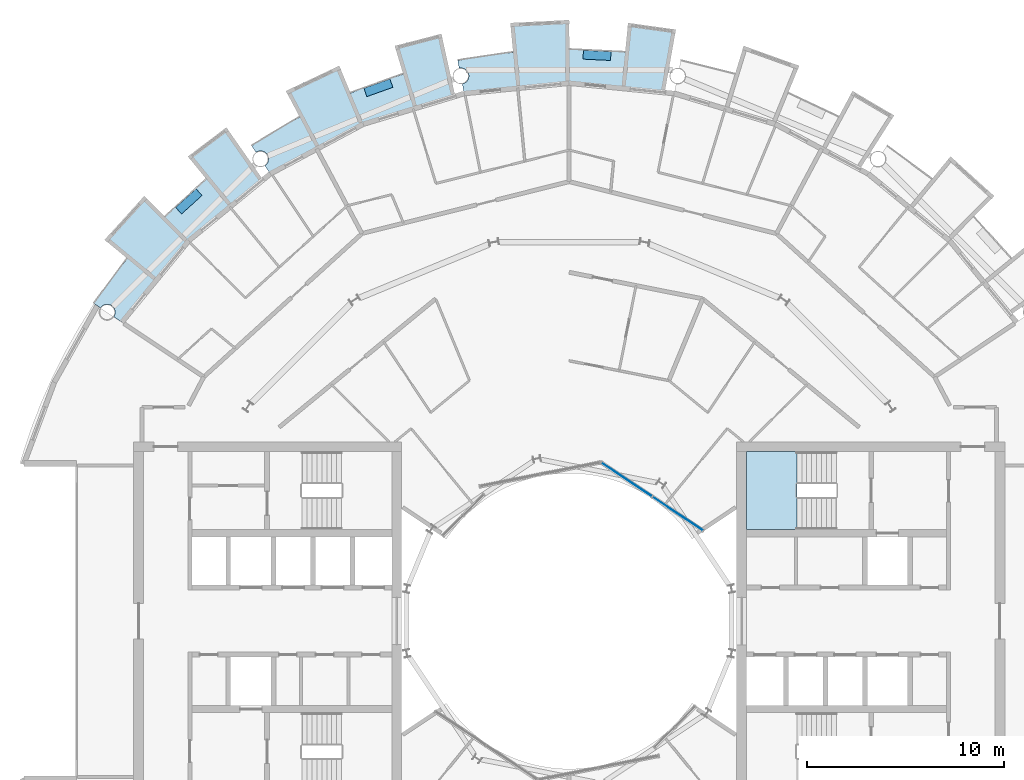
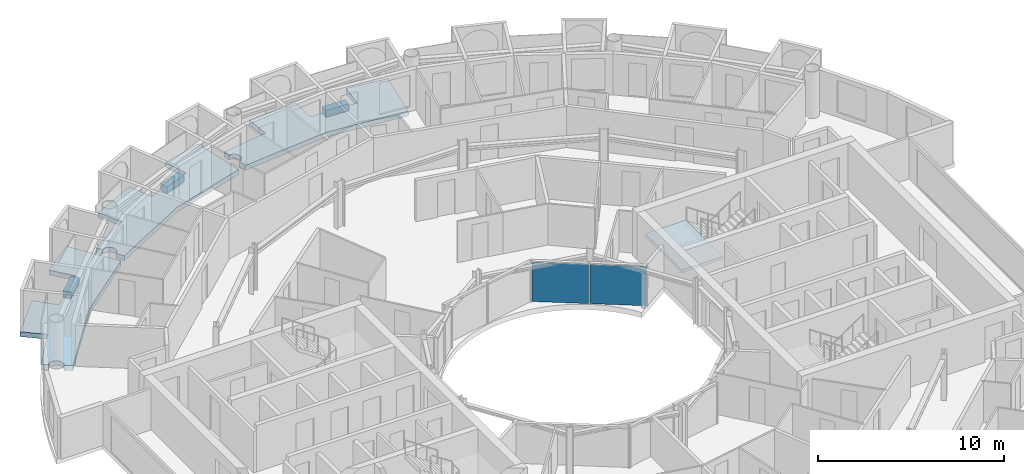
# One storey, part 12 of 26: 7 slabs, 2 plates, 2 elements without a shape of their own.
"""IFC4 building model written with IfcOpenShell, lengths in metres."""

from ifc_helpers import new_model, si_unit, direction, frame, origin, origin_2d, place, context, subcontext, project, spatial, polyline, rectangle, outline, extrude, material, layer, layer_set, type_object, element, aggregate, save


model = new_model("IFC4")

# Units and contexts
model_context = context("Model", 3, precision=1e-05, world=origin(), true_north=direction((0.0, 1.0)))
body_context = subcontext(model_context, "Body", "Model", "MODEL_VIEW")
ifc_project = project(units=[si_unit("LENGTHUNIT", "METRE"), si_unit("AREAUNIT", "SQUARE_METRE"), si_unit("VOLUMEUNIT", "CUBIC_METRE"), si_unit("PLANEANGLEUNIT", "RADIAN"), si_unit("MASSUNIT", "GRAM", prefix="KILO")], contexts=[model_context])

# Site, building, storey
site_placement = place(None, origin())
site = spatial("IfcSite", under=ifc_project, at=site_placement, CompositionType="ELEMENT")
building_placement = place(site_placement, origin())
building = spatial("IfcBuilding", under=site, at=building_placement, Name="Maasbend Ring Residences", CompositionType="ELEMENT")
storey_placement = place(building_placement, frame((0.0, 0.0, 161.60009765625)))
storey = spatial("IfcBuildingStorey", under=building, at=storey_placement, Name="L46", CompositionType="ELEMENT", Elevation=161.60009765625)

# Stair, slab
ifc_material_1 = material(Name="Concrete C40/50", Category="concrete")
stair_type = type_object("IfcStairType", Name="CORE STAIR 18 RISERS", PredefinedType="HALF_TURN_STAIR", material=ifc_material_1)
stair_placement = place(storey_placement, origin())
stair = element("IfcStair", 1, at=stair_placement, inside=storey, type_object=stair_type, Name="L46 Exit stair ST-E1", PredefinedType="HALF_TURN_STAIR")
ifc_material_2 = material(Name="Concrete C40/50", Category="concrete")
ifc_layer_1 = layer(ifc_material_2, 0.199951171875)
ifc_layer_set_1 = layer_set([ifc_layer_1], Name="Concrete C40/50")
slab_type_1 = type_object("IfcSlabType", Name="CORE STAIR LANDING 200", PredefinedType="LANDING", material=ifc_layer_set_1)
slab_1_placement = place(storey_placement, frame((0.0, 0.0, 1.324951171875)))
slab_1 = element("IfcSlab", 2, at=slab_1_placement, type_object=slab_type_1, Name="ST-E1 landing 1", PredefinedType="LANDING", context=body_context, shape_type="SweptSolid", body=[
    extrude(outline(polyline([(11.550048828125, 8.60009765625), (9.0, 8.60009765625), (9.0, 4.64990234375), (11.550048828125, 4.64990234375), (11.550048828125, 8.60009765625)])), origin(), (0.0, 0.0, 1.0), 0.199951171875),
])
aggregate(stair, [slab_1])

# Curtain wall, plates
ifc_material_3 = material(Name="Aluminium and clear glass", Category="aluminium")
ifc_layer_2 = layer(ifc_material_3, 0.179931640625)
ifc_layer_set_2 = layer_set([ifc_layer_2], Name="CW-W")
curtain_wall_type = type_object("IfcCurtainWallType", Name="CW-W", PredefinedType="NOTDEFINED", material=ifc_layer_set_2)
curtain_wall_placement = place(storey_placement, origin())
curtain_wall = element("IfcCurtainWall", 3, at=curtain_wall_placement, inside=storey, type_object=curtain_wall_type, Name="Well curtain wall N1", PredefinedType="NOTDEFINED")
ifc_material_4 = material(Name="Glass clear laminated", Category="glass")
ifc_layer_3 = layer(ifc_material_4, 0.031982421875)
ifc_layer_set_3 = layer_set([ifc_layer_3], Name="CWP-W")
plate_type = type_object("IfcPlateType", Name="CWP-W", PredefinedType="CURTAIN_PANEL", material=ifc_layer_set_3)
plate_1_placement = place(storey_placement, frame((5.51123046875, 5.44580078125, -0.000244140625), z_axis=(0.0, 0.0, 1.0), x_axis=(-0.831469612303, 0.55557023302, 0.0)))
plate_1 = element("IfcPlate", 4, at=plate_1_placement, type_object=plate_type, Name="Glass panel well face", PredefinedType="CURTAIN_PANEL", context=body_context, shape_type="SweptSolid", body=[
    extrude(rectangle(XDim=3.053955078125, YDim=0.031982421875, at=origin_2d()), origin(), (0.0, 0.0, 1.0), 2.580078125),
])
plate_2_placement = place(storey_placement, frame((2.922119140625, 7.17578125, -0.000244140625), z_axis=(0.0, 0.0, 1.0), x_axis=(-0.831469612303, 0.55557023302, 0.0)))
plate_2 = element("IfcPlate", 5, at=plate_2_placement, type_object=plate_type, Name="Glass panel well face", PredefinedType="CURTAIN_PANEL", context=body_context, shape_type="SweptSolid", body=[
    extrude(rectangle(XDim=3.053955078125, YDim=0.031982421875, at=origin_2d()), origin(), (0.0, 0.0, 1.0), 2.580078125),
])
aggregate(curtain_wall, [plate_1, plate_2])

# Slabs
ifc_material_5 = material(Name="Planting with climbing greenery")
ifc_layer_4 = layer(ifc_material_5, 0.449951171875)
ifc_layer_set_4 = layer_set([ifc_layer_4], Name="PLANTER-LG")
slab_type_2 = type_object("IfcSlabType", Name="PLANTER-LG", PredefinedType="USERDEFINED", material=ifc_layer_set_4)
slab_2_placement = place(storey_placement, frame((0.0, 0.0, -0.030029296875)))
element("IfcSlab", 6, at=slab_2_placement, inside=storey, type_object=slab_type_2, Name="Planter with climbing greenery 3", ObjectType="PLANTER", PredefinedType="USERDEFINED", context=body_context, shape_type="SweptSolid", body=[
    extrude(outline(polyline([(2.1201171875, 28.89599609375), (0.721923828125, 28.965087890625), (0.699951171875, 28.514892578125), (2.097900390625, 28.446044921875), (2.1201171875, 28.89599609375)])), origin(), (0.0, 0.0, 1.0), 0.449951171875),
])
slab_3_placement = place(storey_placement, frame((0.0, 0.0, -0.030029296875)))
element("IfcSlab", 7, at=slab_3_placement, inside=storey, type_object=slab_type_2, Name="Planter with climbing greenery 4", ObjectType="PLANTER", PredefinedType="USERDEFINED", context=body_context, shape_type="SweptSolid", body=[
    extrude(outline(polyline([(-9.09912109375, 27.508056640625), (-10.4169921875, 27.035888671875), (-10.26611328125, 26.612060546875), (-8.947021484375, 27.083984375), (-9.09912109375, 27.508056640625)])), origin(), (0.0, 0.0, 1.0), 0.449951171875),
])
slab_4_placement = place(storey_placement, frame((0.0, 0.0, -0.030029296875)))
element("IfcSlab", 8, at=slab_4_placement, inside=storey, type_object=slab_type_2, Name="Planter with climbing greenery 5", ObjectType="PLANTER", PredefinedType="USERDEFINED", context=body_context, shape_type="SweptSolid", body=[
    extrude(outline(polyline([(-18.93310546875, 21.931884765625), (-19.969970703125, 20.991943359375), (-19.66796875, 20.657958984375), (-18.631103515625, 21.597900390625), (-18.93310546875, 21.931884765625)])), origin(), (0.0, 0.0, 1.0), 0.449951171875),
])
ifc_material_6 = material(Name="Concrete C40/50", Category="concrete")
ifc_layer_5 = layer(ifc_material_6, 0.199951171875)
ifc_layer_set_5 = layer_set([ifc_layer_5], Name="Concrete C40/50")
slab_type_3 = type_object("IfcSlabType", Name="SL-LOGGIA", PredefinedType="FLOOR", material=ifc_layer_set_5)
slab_5_placement = place(storey_placement, frame((0.0, 0.0, -0.35009765625)))
element("IfcSlab", 9, at=slab_5_placement, inside=storey, type_object=slab_type_3, Name="Loggia floor 1", PredefinedType="FLOOR", context=body_context, shape_type="SweptSolid", body=[
    extrude(outline(polyline([(-14.5, 25.114990234375), (-13.6708984375, 25.574951171875), (-13.6708984375, 25.575927734375), (-13.6708984375, 25.575927734375), (-13.6708984375, 25.575927734375), (-13.6708984375, 25.575927734375), (-13.6708984375, 25.575927734375), (-13.6708984375, 25.575927734375), (-13.6708984375, 25.575927734375), (-13.6708984375, 25.575927734375), (-13.6708984375, 25.575927734375), (-13.6708984375, 25.575927734375), (-13.6708984375, 25.575927734375), (-13.6708984375, 25.575927734375), (-13.6708984375, 25.575927734375), (-13.6708984375, 25.575927734375), (-13.6708984375, 25.575927734375), (-13.6708984375, 25.575927734375), (-14.3779296875, 26.89892578125), (-14.3779296875, 26.89892578125), (-14.3779296875, 26.89892578125), (-11.672119140625, 28.177978515625), (-11.672119140625, 28.177978515625), (-11.672119140625, 28.177978515625), (-11.097900390625, 26.79296875), (-11.097900390625, 26.79296875), (-11.097900390625, 26.79296875), (-11.097900390625, 26.79296875), (-11.097900390625, 26.79296875), (-11.097900390625, 26.79296875), (-11.097900390625, 26.79296875), (-11.097900390625, 26.79296875), (-11.097900390625, 26.79296875), (-11.097900390625, 26.79296875), (-11.097900390625, 26.79296875), (-11.097900390625, 26.79296875), (-11.097900390625, 26.79296875), (-11.097900390625, 26.79296875), (-11.096923828125, 26.79296875), (-11.096923828125, 26.79296875), (-11.096923828125, 26.79296875), (-10.215087890625, 27.14111328125), (-10.215087890625, 27.14111328125), (-9.322021484375, 27.4609375), (-9.322021484375, 27.4609375), (-8.4189453125, 27.7509765625), (-8.4189453125, 27.7509765625), (-8.4189453125, 27.7509765625), (-8.4189453125, 27.7509765625), (-8.4189453125, 27.7509765625), (-8.4189453125, 27.7509765625), (-8.41796875, 27.7509765625), (-8.41796875, 27.7509765625), (-8.41796875, 27.7509765625), (-8.41796875, 27.7509765625), (-8.41796875, 27.7509765625), (-8.41796875, 27.751953125), (-8.41796875, 27.751953125), (-8.41796875, 27.751953125), (-8.41796875, 27.751953125), (-8.41796875, 27.751953125), (-8.41796875, 27.751953125), (-8.85400390625, 29.18701171875), (-8.85400390625, 29.18701171875), (-8.85400390625, 29.18701171875), (-6.487060546875, 29.802001953125), (-6.487060546875, 29.802001953125), (-6.487060546875, 29.802001953125), (-5.797119140625, 26.633056640625), (-5.797119140625, 26.633056640625), (-5.797119140625, 26.633056640625), (-7.886962890625, 25.9990234375), (-10.447021484375, 25.221923828125), (-10.447021484375, 25.221923828125), (-10.447021484375, 25.221923828125), (-12.806884765625, 23.9609375), (-15.1669921875, 22.698974609375), (-15.1669921875, 22.698974609375), (-15.1669921875, 22.698974609375), (-15.44091796875, 23.10888671875), (-15.43310546875, 23.114990234375), (-15.425048828125, 23.12109375), (-15.4169921875, 23.126953125), (-15.408935546875, 23.133056640625), (-15.402099609375, 23.139892578125), (-15.39404296875, 23.14599609375), (-15.386962890625, 23.153076171875), (-15.3798828125, 23.159912109375), (-15.373046875, 23.1669921875), (-15.365966796875, 23.174072265625), (-15.35888671875, 23.181884765625), (-15.35302734375, 23.18994140625), (-15.346923828125, 23.197021484375), (-15.341064453125, 23.205078125), (-15.3349609375, 23.212890625), (-15.3291015625, 23.221923828125), (-15.323974609375, 23.22998046875), (-15.318115234375, 23.238037109375), (-15.31298828125, 23.2470703125), (-15.30908203125, 23.256103515625), (-15.303955078125, 23.264892578125), (-15.300048828125, 23.27392578125), (-15.294921875, 23.282958984375), (-15.2919921875, 23.2919921875), (-15.2880859375, 23.301025390625), (-15.283935546875, 23.31005859375), (-15.281005859375, 23.320068359375), (-15.278076171875, 23.3291015625), (-15.27490234375, 23.339111328125), (-15.27294921875, 23.34912109375), (-15.27001953125, 23.35791015625), (-15.26806640625, 23.367919921875), (-15.26708984375, 23.3779296875), (-15.264892578125, 23.387939453125), (-15.263916015625, 23.39794921875), (-15.262939453125, 23.407958984375), (-15.261962890625, 23.4169921875), (-15.260986328125, 23.427001953125), (-15.260986328125, 23.43701171875), (-15.260986328125, 23.447021484375), (-15.260986328125, 23.45703125), (-15.260986328125, 23.467041015625), (-15.261962890625, 23.47705078125), (-15.262939453125, 23.487060546875), (-15.263916015625, 23.4970703125), (-15.264892578125, 23.507080078125), (-15.26708984375, 23.51708984375), (-15.26806640625, 23.527099609375), (-15.27001953125, 23.535888671875), (-15.27294921875, 23.5458984375), (-15.27490234375, 23.555908203125), (-15.278076171875, 23.56494140625), (-15.281005859375, 23.574951171875), (-15.283935546875, 23.583984375), (-15.2880859375, 23.593994140625), (-15.2919921875, 23.60302734375), (-15.294921875, 23.612060546875), (-15.300048828125, 23.62109375), (-15.303955078125, 23.6298828125), (-15.30908203125, 23.638916015625), (-15.31298828125, 23.64794921875), (-15.318115234375, 23.656005859375), (-15.323974609375, 23.6650390625), (-15.3291015625, 23.673095703125), (-15.3349609375, 23.680908203125), (-15.341064453125, 23.68994140625), (-15.346923828125, 23.697021484375), (-15.35302734375, 23.705078125), (-15.35888671875, 23.712890625), (-15.365966796875, 23.719970703125), (-15.373046875, 23.72802734375), (-15.3798828125, 23.735107421875), (-15.386962890625, 23.741943359375), (-15.39404296875, 23.7490234375), (-15.402099609375, 23.7548828125), (-15.408935546875, 23.761962890625), (-15.4169921875, 23.76806640625), (-15.425048828125, 23.77392578125), (-15.43310546875, 23.780029296875), (-15.44091796875, 23.784912109375), (-15.449951171875, 23.791015625), (-15.4580078125, 23.7958984375), (-15.467041015625, 23.801025390625), (-15.47509765625, 23.805908203125), (-15.48388671875, 23.81005859375), (-15.492919921875, 23.81494140625), (-15.501953125, 23.819091796875), (-15.511962890625, 23.822998046875), (-15.52099609375, 23.826904296875), (-15.530029296875, 23.830078125), (-15.5400390625, 23.8330078125), (-15.549072265625, 23.8359375), (-15.55908203125, 23.839111328125), (-15.568115234375, 23.842041015625), (-15.577880859375, 23.843994140625), (-15.587890625, 23.845947265625), (-15.597900390625, 23.847900390625), (-15.60693359375, 23.85009765625), (-15.616943359375, 23.85107421875), (-15.626953125, 23.85205078125), (-15.636962890625, 23.85302734375), (-15.64697265625, 23.85302734375), (-15.656982421875, 23.85400390625), (-15.6669921875, 23.85400390625), (-15.677001953125, 23.85400390625), (-15.68701171875, 23.85302734375), (-15.697021484375, 23.85302734375), (-15.70703125, 23.85205078125), (-15.717041015625, 23.85107421875), (-15.72705078125, 23.85009765625), (-15.737060546875, 23.847900390625), (-15.74609375, 23.845947265625), (-15.756103515625, 23.843994140625), (-15.76611328125, 23.842041015625), (-15.77587890625, 23.839111328125), (-15.784912109375, 23.8359375), (-15.794921875, 23.8330078125), (-15.803955078125, 23.830078125), (-15.81298828125, 23.826904296875), (-15.822998046875, 23.822998046875), (-15.83203125, 23.819091796875), (-15.841064453125, 23.81494140625), (-15.85009765625, 23.81005859375), (-15.85888671875, 23.805908203125), (-15.866943359375, 23.801025390625), (-15.8759765625, 23.7958984375), (-15.885009765625, 23.791015625), (-15.89306640625, 23.784912109375), (-16.112060546875, 24.113037109375), (-16.112060546875, 24.113037109375), (-16.112060546875, 24.113037109375), (-15.31396484375, 24.626953125), (-15.31396484375, 24.626953125), (-14.5, 25.114990234375), (-14.5, 25.114990234375)])), origin(), (0.0, 0.0, 1.0), 0.320068359375),
])
slab_6_placement = place(storey_placement, frame((0.0, 0.0, -0.35009765625)))
element("IfcSlab", 10, at=slab_6_placement, inside=storey, type_object=slab_type_3, Name="Loggia floor 3", PredefinedType="FLOOR", context=body_context, shape_type="SweptSolid", body=[
    extrude(outline(polyline([(-3.784912109375, 28.751953125), (-2.843017578125, 28.860107421875), (-2.843017578125, 28.860107421875), (-2.843017578125, 28.860107421875), (-2.843017578125, 28.860107421875), (-2.843017578125, 28.860107421875), (-2.843017578125, 28.860107421875), (-2.843017578125, 28.860107421875), (-2.843017578125, 28.860107421875), (-2.843017578125, 28.860107421875), (-2.843017578125, 28.861083984375), (-2.843017578125, 28.861083984375), (-2.843017578125, 28.861083984375), (-2.843017578125, 28.861083984375), (-2.843017578125, 28.861083984375), (-2.843017578125, 28.861083984375), (-2.843017578125, 28.861083984375), (-2.843017578125, 28.861083984375), (-2.989990234375, 30.35302734375), (-2.989990234375, 30.35302734375), (-2.989990234375, 30.35302734375), (0.0, 30.5), (0.0, 30.5), (0.0, 30.5), (0.0, 29.0), (0.0, 29.0), (0.0, 29.0), (0.0, 29.0), (0.0, 29.0), (0.0, 29.0), (0.0, 29.0), (0.0, 29.0), (0.0, 29.0), (0.0, 29.0), (0.0, 29.0), (0.0, 29.0), (0.0, 29.0), (0.0, 29.0), (0.0, 29.0), (0.0, 29.0), (0.0, 29.0), (0.948974609375, 28.98388671875), (0.948974609375, 28.98388671875), (1.89697265625, 28.93798828125), (1.89697265625, 28.93798828125), (2.842041015625, 28.860107421875), (2.842041015625, 28.860107421875), (2.842041015625, 28.860107421875), (2.842041015625, 28.860107421875), (2.842041015625, 28.860107421875), (2.842041015625, 28.860107421875), (2.842041015625, 28.860107421875), (2.842041015625, 28.860107421875), (2.842041015625, 28.861083984375), (2.842041015625, 28.861083984375), (2.842041015625, 28.861083984375), (2.842041015625, 28.861083984375), (2.842041015625, 28.861083984375), (2.843017578125, 28.861083984375), (2.843017578125, 28.861083984375), (2.843017578125, 28.861083984375), (2.843017578125, 28.861083984375), (2.989990234375, 30.35302734375), (2.989990234375, 30.35302734375), (2.989990234375, 30.35302734375), (5.412109375, 30.01611328125), (5.412109375, 30.01611328125), (5.412109375, 30.01611328125), (4.8359375, 26.823974609375), (4.8359375, 26.823974609375), (4.8359375, 26.823974609375), (2.6630859375, 27.0380859375), (0.0, 27.300048828125), (0.0, 27.300048828125), (0.0, 27.300048828125), (-2.6630859375, 27.0380859375), (-5.325927734375, 26.77490234375), (-5.325927734375, 26.77490234375), (-5.325927734375, 26.77490234375), (-5.422119140625, 27.259033203125), (-5.422119140625, 27.259033203125), (-5.412109375, 27.260986328125), (-5.403076171875, 27.263916015625), (-5.39306640625, 27.26611328125), (-5.383056640625, 27.26904296875), (-5.3740234375, 27.27197265625), (-5.364990234375, 27.27490234375), (-5.35498046875, 27.279052734375), (-5.345947265625, 27.282958984375), (-5.3369140625, 27.285888671875), (-5.327880859375, 27.291015625), (-5.319091796875, 27.294921875), (-5.31005859375, 27.300048828125), (-5.301025390625, 27.303955078125), (-5.29296875, 27.30908203125), (-5.283935546875, 27.31494140625), (-5.27587890625, 27.320068359375), (-5.26708984375, 27.325927734375), (-5.259033203125, 27.33203125), (-5.2509765625, 27.337890625), (-5.243896484375, 27.343994140625), (-5.236083984375, 27.35009765625), (-5.22900390625, 27.35693359375), (-5.220947265625, 27.364013671875), (-5.214111328125, 27.37109375), (-5.20703125, 27.3779296875), (-5.199951171875, 27.385009765625), (-5.194091796875, 27.39306640625), (-5.18701171875, 27.39990234375), (-5.180908203125, 27.407958984375), (-5.175048828125, 27.416015625), (-5.1689453125, 27.424072265625), (-5.1640625, 27.431884765625), (-5.157958984375, 27.44091796875), (-5.153076171875, 27.448974609375), (-5.14794921875, 27.4580078125), (-5.14306640625, 27.466064453125), (-5.137939453125, 27.47509765625), (-5.134033203125, 27.48388671875), (-5.1298828125, 27.492919921875), (-5.1259765625, 27.5029296875), (-5.1220703125, 27.511962890625), (-5.118896484375, 27.52099609375), (-5.115966796875, 27.531005859375), (-5.113037109375, 27.5400390625), (-5.110107421875, 27.550048828125), (-5.10693359375, 27.55908203125), (-5.10498046875, 27.569091796875), (-5.10302734375, 27.5791015625), (-5.10107421875, 27.589111328125), (-5.09912109375, 27.597900390625), (-5.097900390625, 27.60791015625), (-5.096923828125, 27.617919921875), (-5.095947265625, 27.6279296875), (-5.094970703125, 27.637939453125), (-5.094970703125, 27.64794921875), (-5.094970703125, 27.657958984375), (-5.094970703125, 27.66796875), (-5.094970703125, 27.677978515625), (-5.095947265625, 27.68798828125), (-5.096923828125, 27.697998046875), (-5.097900390625, 27.7080078125), (-5.09912109375, 27.718017578125), (-5.10107421875, 27.72802734375), (-5.10302734375, 27.737060546875), (-5.10498046875, 27.7470703125), (-5.10693359375, 27.757080078125), (-5.110107421875, 27.76708984375), (-5.113037109375, 27.77587890625), (-5.115966796875, 27.785888671875), (-5.118896484375, 27.794921875), (-5.1220703125, 27.803955078125), (-5.1259765625, 27.81396484375), (-5.1298828125, 27.822998046875), (-5.134033203125, 27.83203125), (-5.137939453125, 27.841064453125), (-5.14306640625, 27.85009765625), (-5.14794921875, 27.85791015625), (-5.153076171875, 27.866943359375), (-5.157958984375, 27.8759765625), (-5.1640625, 27.884033203125), (-5.1689453125, 27.89208984375), (-5.175048828125, 27.89990234375), (-5.180908203125, 27.907958984375), (-5.18701171875, 27.916015625), (-5.194091796875, 27.924072265625), (-5.199951171875, 27.930908203125), (-5.20703125, 27.93798828125), (-5.214111328125, 27.946044921875), (-5.220947265625, 27.952880859375), (-5.22900390625, 27.958984375), (-5.236083984375, 27.966064453125), (-5.243896484375, 27.971923828125), (-5.2509765625, 27.97900390625), (-5.259033203125, 27.985107421875), (-5.26708984375, 27.989990234375), (-5.27587890625, 27.99609375), (-5.283935546875, 28.001953125), (-5.29296875, 28.007080078125), (-5.301025390625, 28.011962890625), (-5.31005859375, 28.01708984375), (-5.319091796875, 28.02099609375), (-5.327880859375, 28.02587890625), (-5.3369140625, 28.030029296875), (-5.345947265625, 28.033935546875), (-5.35498046875, 28.037109375), (-5.364990234375, 28.041015625), (-5.3740234375, 28.0439453125), (-5.383056640625, 28.047119140625), (-5.39306640625, 28.050048828125), (-5.403076171875, 28.052001953125), (-5.412109375, 28.054931640625), (-5.422119140625, 28.056884765625), (-5.431884765625, 28.05908203125), (-5.44189453125, 28.06005859375), (-5.451904296875, 28.06201171875), (-5.4619140625, 28.06298828125), (-5.471923828125, 28.06298828125), (-5.48193359375, 28.06396484375), (-5.491943359375, 28.06396484375), (-5.501953125, 28.06494140625), (-5.510986328125, 28.06396484375), (-5.52099609375, 28.06396484375), (-5.531005859375, 28.06298828125), (-5.541015625, 28.06298828125), (-5.551025390625, 28.06201171875), (-5.56103515625, 28.06005859375), (-5.571044921875, 28.05908203125), (-5.5810546875, 28.056884765625), (-5.5810546875, 28.056884765625), (-5.657958984375, 28.443115234375), (-5.657958984375, 28.443115234375), (-5.657958984375, 28.443115234375), (-4.72412109375, 28.613037109375), (-4.72412109375, 28.613037109375), (-3.784912109375, 28.751953125), (-3.784912109375, 28.751953125)])), origin(), (0.0, 0.0, 1.0), 0.320068359375),
])
slab_7_placement = place(storey_placement, frame((0.0, 0.0, -0.35009765625)))
element("IfcSlab", 11, at=slab_7_placement, inside=storey, type_object=slab_type_3, Name="Loggia floor 4", PredefinedType="FLOOR", context=body_context, shape_type="SweptSolid", body=[
    extrude(outline(polyline([(-23.007080078125, 17.654052734375), (-22.41796875, 18.39697265625), (-22.41796875, 18.39697265625), (-22.41796875, 18.39697265625), (-22.41796875, 18.39697265625), (-22.41796875, 18.39697265625), (-22.41796875, 18.39697265625), (-22.41796875, 18.39697265625), (-22.41796875, 18.39697265625), (-22.41796875, 18.39697265625), (-22.41796875, 18.39697265625), (-22.41796875, 18.39697265625), (-22.41796875, 18.39794921875), (-22.41796875, 18.39794921875), (-22.41796875, 18.39794921875), (-22.41796875, 18.39794921875), (-22.41796875, 18.39794921875), (-22.41796875, 18.39794921875), (-23.576904296875, 19.34912109375), (-23.576904296875, 19.34912109375), (-23.576904296875, 19.34912109375), (-21.56689453125, 21.56689453125), (-21.56689453125, 21.56689453125), (-21.56689453125, 21.56689453125), (-20.506103515625, 20.506103515625), (-20.506103515625, 20.506103515625), (-20.506103515625, 20.506103515625), (-20.506103515625, 20.506103515625), (-20.506103515625, 20.506103515625), (-20.506103515625, 20.506103515625), (-20.506103515625, 20.506103515625), (-20.506103515625, 20.506103515625), (-20.506103515625, 20.506103515625), (-20.506103515625, 20.506103515625), (-20.506103515625, 20.506103515625), (-20.506103515625, 20.506103515625), (-20.506103515625, 20.506103515625), (-20.506103515625, 20.506103515625), (-20.506103515625, 20.506103515625), (-20.506103515625, 20.506103515625), (-20.506103515625, 20.506103515625), (-19.823974609375, 21.166015625), (-19.823974609375, 21.166015625), (-19.12109375, 21.802978515625), (-19.12109375, 21.802978515625), (-18.39794921875, 22.4169921875), (-18.39794921875, 22.4169921875), (-18.39794921875, 22.4169921875), (-18.39794921875, 22.4169921875), (-18.39794921875, 22.4169921875), (-18.39794921875, 22.4169921875), (-18.39794921875, 22.4169921875), (-18.39794921875, 22.4169921875), (-18.39794921875, 22.4169921875), (-18.39794921875, 22.4169921875), (-18.39794921875, 22.4169921875), (-18.39794921875, 22.4169921875), (-18.39794921875, 22.41796875), (-18.39794921875, 22.41796875), (-18.39794921875, 22.41796875), (-18.39794921875, 22.41796875), (-18.39794921875, 22.41796875), (-19.34912109375, 23.576904296875), (-19.34912109375, 23.576904296875), (-19.34912109375, 23.576904296875), (-17.39794921875, 25.051025390625), (-17.39794921875, 25.051025390625), (-17.39794921875, 25.051025390625), (-15.547119140625, 22.386962890625), (-15.547119140625, 22.386962890625), (-15.547119140625, 22.386962890625), (-17.236083984375, 21.001953125), (-19.303955078125, 19.303955078125), (-19.303955078125, 19.303955078125), (-19.303955078125, 19.303955078125), (-21.001953125, 17.236083984375), (-22.698974609375, 15.1669921875), (-22.698974609375, 15.1669921875), (-22.698974609375, 15.1669921875), (-23.10888671875, 15.44091796875), (-23.10888671875, 15.44091796875), (-23.10400390625, 15.449951171875), (-23.09912109375, 15.4580078125), (-23.093994140625, 15.467041015625), (-23.089111328125, 15.47509765625), (-23.083984375, 15.48388671875), (-23.080078125, 15.492919921875), (-23.075927734375, 15.501953125), (-23.072021484375, 15.511962890625), (-23.068115234375, 15.52099609375), (-23.06494140625, 15.530029296875), (-23.06103515625, 15.5400390625), (-23.05810546875, 15.549072265625), (-23.055908203125, 15.55908203125), (-23.052978515625, 15.568115234375), (-23.051025390625, 15.577880859375), (-23.049072265625, 15.587890625), (-23.047119140625, 15.597900390625), (-23.044921875, 15.60693359375), (-23.0439453125, 15.616943359375), (-23.04296875, 15.626953125), (-23.0419921875, 15.636962890625), (-23.041015625, 15.64697265625), (-23.041015625, 15.656982421875), (-23.041015625, 15.6669921875), (-23.041015625, 15.677001953125), (-23.041015625, 15.68701171875), (-23.0419921875, 15.697021484375), (-23.04296875, 15.70703125), (-23.0439453125, 15.717041015625), (-23.044921875, 15.72705078125), (-23.047119140625, 15.737060546875), (-23.049072265625, 15.74609375), (-23.051025390625, 15.756103515625), (-23.052978515625, 15.76611328125), (-23.055908203125, 15.77587890625), (-23.05810546875, 15.784912109375), (-23.06103515625, 15.794921875), (-23.06494140625, 15.803955078125), (-23.068115234375, 15.81298828125), (-23.072021484375, 15.822998046875), (-23.075927734375, 15.83203125), (-23.080078125, 15.841064453125), (-23.083984375, 15.85009765625), (-23.089111328125, 15.85888671875), (-23.093994140625, 15.866943359375), (-23.09912109375, 15.8759765625), (-23.10400390625, 15.885009765625), (-23.10888671875, 15.89306640625), (-23.114990234375, 15.90087890625), (-23.12109375, 15.908935546875), (-23.126953125, 15.9169921875), (-23.133056640625, 15.925048828125), (-23.139892578125, 15.93310546875), (-23.14599609375, 15.93994140625), (-23.153076171875, 15.947021484375), (-23.159912109375, 15.955078125), (-23.1669921875, 15.9619140625), (-23.174072265625, 15.968017578125), (-23.181884765625, 15.97509765625), (-23.18994140625, 15.98095703125), (-23.197021484375, 15.988037109375), (-23.205078125, 15.993896484375), (-23.212890625, 15.9990234375), (-23.221923828125, 16.0048828125), (-23.22998046875, 16.010986328125), (-23.238037109375, 16.01611328125), (-23.2470703125, 16.02099609375), (-23.256103515625, 16.02587890625), (-23.264892578125, 16.030029296875), (-23.27392578125, 16.034912109375), (-23.282958984375, 16.0390625), (-23.2919921875, 16.04296875), (-23.301025390625, 16.0458984375), (-23.31005859375, 16.050048828125), (-23.320068359375, 16.052978515625), (-23.3291015625, 16.055908203125), (-23.339111328125, 16.05908203125), (-23.34912109375, 16.06103515625), (-23.35791015625, 16.06396484375), (-23.367919921875, 16.06591796875), (-23.3779296875, 16.068115234375), (-23.387939453125, 16.069091796875), (-23.39794921875, 16.071044921875), (-23.407958984375, 16.072021484375), (-23.4169921875, 16.072021484375), (-23.427001953125, 16.072998046875), (-23.43701171875, 16.072998046875), (-23.447021484375, 16.073974609375), (-23.45703125, 16.072998046875), (-23.467041015625, 16.072998046875), (-23.47705078125, 16.072021484375), (-23.487060546875, 16.072021484375), (-23.4970703125, 16.071044921875), (-23.507080078125, 16.069091796875), (-23.51708984375, 16.068115234375), (-23.527099609375, 16.06591796875), (-23.535888671875, 16.06396484375), (-23.5458984375, 16.06103515625), (-23.555908203125, 16.05908203125), (-23.56494140625, 16.055908203125), (-23.574951171875, 16.052978515625), (-23.583984375, 16.050048828125), (-23.593994140625, 16.0458984375), (-23.60302734375, 16.04296875), (-23.612060546875, 16.0390625), (-23.62109375, 16.034912109375), (-23.6298828125, 16.030029296875), (-23.638916015625, 16.02587890625), (-23.64794921875, 16.02099609375), (-23.656005859375, 16.01611328125), (-23.6650390625, 16.010986328125), (-23.673095703125, 16.0048828125), (-23.680908203125, 15.9990234375), (-23.68994140625, 15.993896484375), (-23.697021484375, 15.988037109375), (-23.705078125, 15.98095703125), (-23.712890625, 15.97509765625), (-23.719970703125, 15.968017578125), (-23.72802734375, 15.9619140625), (-23.735107421875, 15.955078125), (-23.741943359375, 15.947021484375), (-23.7490234375, 15.93994140625), (-23.7548828125, 15.93310546875), (-23.761962890625, 15.925048828125), (-23.76806640625, 15.9169921875), (-23.77392578125, 15.908935546875), (-23.780029296875, 15.90087890625), (-23.784912109375, 15.89306640625), (-23.784912109375, 15.89306640625), (-24.113037109375, 16.112060546875), (-24.113037109375, 16.112060546875), (-24.113037109375, 16.112060546875), (-23.572998046875, 16.89208984375), (-23.572998046875, 16.89208984375), (-23.007080078125, 17.654052734375), (-23.007080078125, 17.654052734375)])), origin(), (0.0, 0.0, 1.0), 0.320068359375),
])

save(model, "model.ifc")
